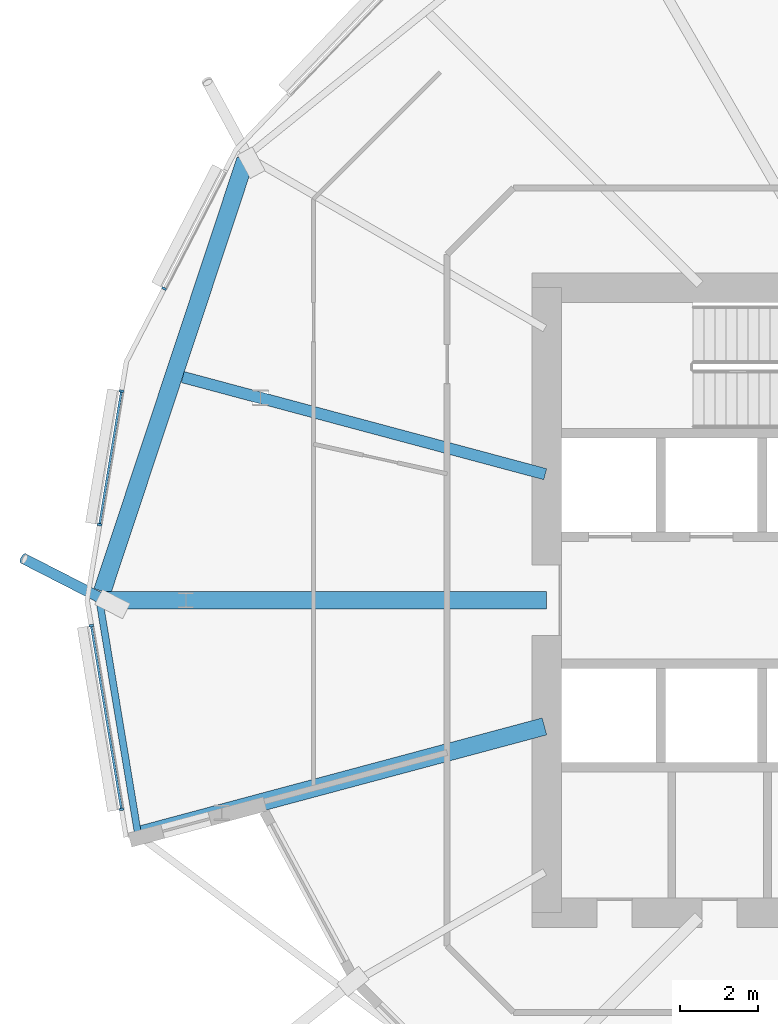
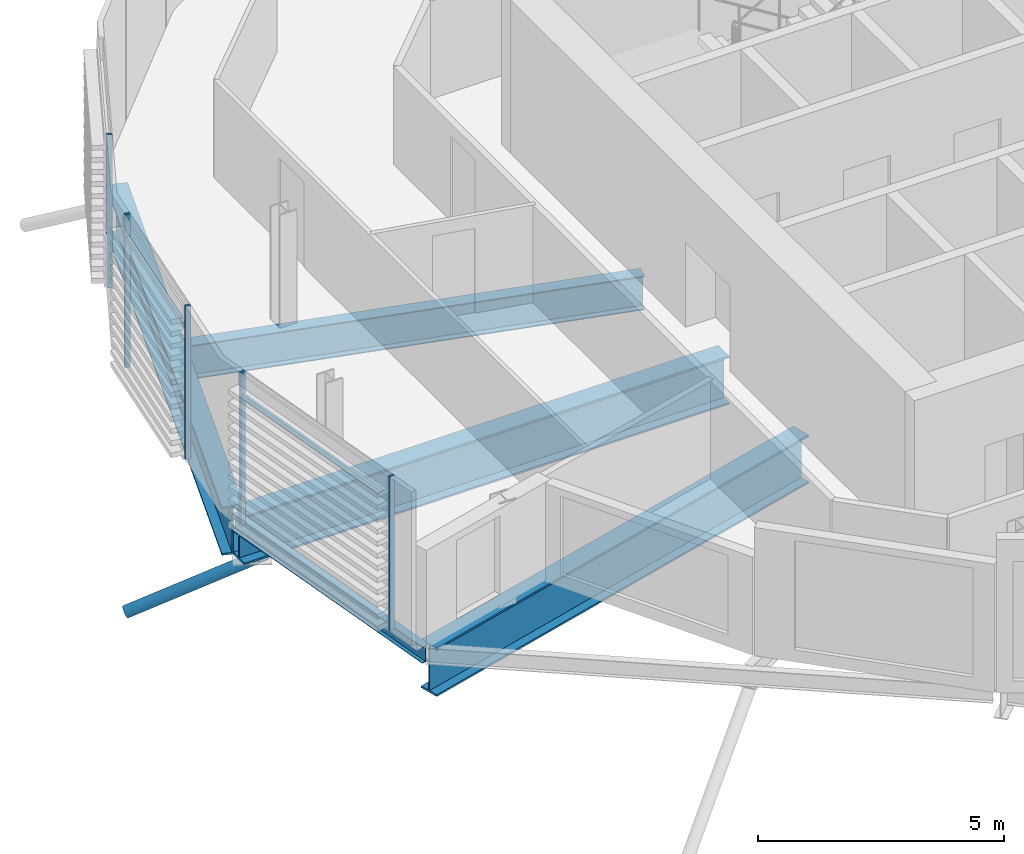
# One storey, part 5 of 43: 8 members, 5 beams, 1 element without a shape of its own.
"""IFC4 building model written with IfcOpenShell, lengths in metres."""

from ifc_helpers import new_model, si_unit, direction, frame, origin, origin_2d, place, context, subcontext, project, spatial, rectangle, hollow_circle, i_section, extrude, clip, halfspace, material, material_profile, profile_set, type_object, element, aggregate, save


model = new_model("IFC4")

# Units and contexts
model_context = context("Model", 3, precision=1e-05, world=origin(), true_north=direction((0.0, 1.0)))
body_context = subcontext(model_context, "Body", "Model", "MODEL_VIEW")
ifc_project = project(units=[si_unit("LENGTHUNIT", "METRE"), si_unit("AREAUNIT", "SQUARE_METRE"), si_unit("VOLUMEUNIT", "CUBIC_METRE"), si_unit("PLANEANGLEUNIT", "RADIAN"), si_unit("MASSUNIT", "GRAM", prefix="KILO")], contexts=[model_context])

# Site, building, storey
site_placement = place(None, origin())
site = spatial("IfcSite", under=ifc_project, at=site_placement, CompositionType="ELEMENT")
building_placement = place(site_placement, origin())
building = spatial("IfcBuilding", under=site, at=building_placement, Name="Rimbun Link Towers", CompositionType="ELEMENT")
storey_placement = place(building_placement, frame((0.0, 0.0, 81.60009765625)))
storey = spatial("IfcBuildingStorey", under=building, at=storey_placement, Name="L19", CompositionType="ELEMENT", Elevation=81.60009765625)

# Curtain wall, members
ifc_material_1 = material(Name="Aluminium 6063-T6 and low-iron glass", Category="aluminium")
curtain_wall_type = type_object("IfcCurtainWallType", Name="CW1-Z2 unitised vision wall (zone 2)", PredefinedType="NOTDEFINED", material=ifc_material_1)
curtain_wall_placement = place(storey_placement, origin())
curtain_wall = element("IfcCurtainWall", 1, at=curtain_wall_placement, inside=storey, type_object=curtain_wall_type, Name="CW1 L19 T1", PredefinedType="NOTDEFINED")
ifc_material_2 = material(Name="Aluminium 6063-T6", Category="aluminium")
ifc_material_profile_1 = material_profile(ifc_material_2, rectangle(XDim=0.1201171875, YDim=0.06005859375, at=origin_2d()), Name="MULLION 60X120")
ifc_profile_set_1 = profile_set([ifc_material_profile_1], Name="Aluminium 6063-T6")
member_type_1 = type_object("IfcMemberType", Name="CW1 mullion 60X120", PredefinedType="MULLION", material=ifc_profile_set_1)
member_1_placement = place(storey_placement, frame((-53.543701171875, 7.9765625, 0.0), z_axis=(0.0, 0.0, 1.0), x_axis=(-0.888154791602, 0.459544411514, 0.0)))
member_1 = element("IfcMember", 2, at=member_1_placement, type_object=member_type_1, Name="CW1 mullion", PredefinedType="MULLION", context=body_context, shape_type="SweptSolid", body=[
    extrude(rectangle(XDim=0.1201171875, YDim=0.06005859375, at=origin_2d()), origin(), (0.0, 0.0, 1.0), 3.7998046875),
])
member_2_placement = place(storey_placement, frame((-55.19873046875, 1.933837890625, 0.0), z_axis=(0.0, 0.0, 1.0), x_axis=(-0.986748851509, 0.162255058613, 0.0)))
member_2 = element("IfcMember", 3, at=member_2_placement, type_object=member_type_1, Name="CW1 mullion", PredefinedType="MULLION", context=body_context, shape_type="SweptSolid", body=[
    extrude(rectangle(XDim=0.1201171875, YDim=0.06005859375, at=origin_2d()), origin(), (0.0, 0.0, 1.0), 3.7998046875),
])
member_3_placement = place(storey_placement, frame((-54.636474609375, 5.353515625, 0.0), z_axis=(0.0, 0.0, 1.0), x_axis=(-0.986748851509, 0.162255058613, 0.0)))
member_3 = element("IfcMember", 4, at=member_3_placement, type_object=member_type_1, Name="CW1 mullion", PredefinedType="MULLION", context=body_context, shape_type="SweptSolid", body=[
    extrude(rectangle(XDim=0.1201171875, YDim=0.06005859375, at=origin_2d()), origin(), (0.0, 0.0, 1.0), 3.7998046875),
])
member_4_placement = place(storey_placement, frame((-54.636474609375, -5.353515625, 0.0), z_axis=(0.0, 0.0, 1.0), x_axis=(-0.986748851509, -0.162255058613, 0.0)))
member_4 = element("IfcMember", 5, at=member_4_placement, type_object=member_type_1, Name="CW1 mullion", PredefinedType="MULLION", context=body_context, shape_type="SweptSolid", body=[
    extrude(rectangle(XDim=0.1201171875, YDim=0.06005859375, at=origin_2d()), origin(), (0.0, 0.0, 1.0), 3.7998046875),
])
member_5_placement = place(storey_placement, frame((-55.40966796875, -0.651123046875, 0.0), z_axis=(0.0, 0.0, 1.0), x_axis=(-0.986748851509, -0.162255058613, 0.0)))
member_5 = element("IfcMember", 6, at=member_5_placement, type_object=member_type_1, Name="CW1 mullion", PredefinedType="MULLION", context=body_context, shape_type="SweptSolid", body=[
    extrude(rectangle(XDim=0.1201171875, YDim=0.06005859375, at=origin_2d()), origin(), (0.0, 0.0, 1.0), 3.7998046875),
])
ifc_material_3 = material(Name="Aluminium 6063-T6", Category="aluminium")
ifc_material_profile_2 = material_profile(ifc_material_3, rectangle(XDim=0.06005859375, YDim=0.1201171875, at=origin_2d()), Name="TRANSOM 60X120")
ifc_profile_set_2 = profile_set([ifc_material_profile_2], Name="Aluminium 6063-T6")
member_type_2 = type_object("IfcMemberType", Name="CW1 transom 60X120", PredefinedType="USERDEFINED", material=ifc_profile_set_2)
member_6_placement = place(storey_placement, frame((-55.19189453125, 1.963134765625, 3.199951171875), z_axis=(0.162224767288, 0.986753831955, 0.0), x_axis=(-0.986753831955, 0.162224767288, 0.0)))
member_6 = element("IfcMember", 7, at=member_6_placement, type_object=member_type_2, Name="CW1 transom", ObjectType="TRANSOM", PredefinedType="USERDEFINED", context=body_context, shape_type="SweptSolid", body=[
    extrude(rectangle(XDim=0.06005859375, YDim=0.1201171875, at=origin_2d()), origin(), (0.0, 0.0, 1.0), 3.40576171875),
])
member_7_placement = place(storey_placement, frame((-54.639404296875, -5.32373046875, 3.199951171875), z_axis=(-0.162236357021, 0.986751926505, 0.0), x_axis=(-0.986751926505, -0.162236357021, 0.0)))
member_7 = element("IfcMember", 8, at=member_7_placement, type_object=member_type_2, Name="CW1 transom", ObjectType="TRANSOM", PredefinedType="USERDEFINED", context=body_context, shape_type="SweptSolid", body=[
    extrude(rectangle(XDim=0.06005859375, YDim=0.1201171875, at=origin_2d()), origin(), (0.0, 0.0, 1.0), 4.70556640625),
])
aggregate(curtain_wall, [member_1, member_2, member_3, member_4, member_5, member_6, member_7])

# Member
ifc_material_4 = material(Name="Steel S355J2H", Category="steel")
ifc_material_profile_3 = material_profile(ifc_material_4, hollow_circle(Radius=0.136474609375, WallThickness=0.012451171875, at=origin_2d()), Name="CHS 273x12.5")
ifc_profile_set_3 = profile_set([ifc_material_profile_3], Name="Steel S355J2H")
member_type_3 = type_object("IfcMemberType", Name="Floor edge link CHS 273x12.5", PredefinedType="BRACE", material=ifc_profile_set_3)
member_8_placement = place(storey_placement, frame((-55.061279296875, 0.0, -1.4833984375), z_axis=(-0.804958056302, 0.411871770932, -0.427088014236), x_axis=(-0.455504522995, -0.890233469114, 0.0)))
element("IfcMember", 9, at=member_8_placement, inside=storey, type_object=member_type_3, Name="Floor edge link T1 L19 12", PredefinedType="BRACE", context=body_context, shape_type="Clipping", body=[
    clip(extrude(hollow_circle(Radius=0.136474609375, WallThickness=0.012451171875, at=origin_2d()), frame((0.0, 0.0, -0.601318359375)), (0.0, 0.0, 1.0), 3.200439453125), halfspace(frame((0.0, 0.0, -0.283935546875), z_axis=(0.0, 0.904210057506, -0.427088014236)), False)),
])

# Beams
ifc_material_5 = material(Name="Steel S355J2", Category="steel")
ifc_material_profile_4 = material_profile(ifc_material_5, i_section(OverallWidth=0.449951171875, OverallDepth=1.199951171875, WebThickness=0.030029296875, FlangeThickness=0.044921875, at=origin_2d()), Name="PG 1200x450x30/45")
ifc_profile_set_4 = profile_set([ifc_material_profile_4], Name="Steel S355J2")
beam_type_1 = type_object("IfcBeamType", Name="PG 1200x450x30/45", PredefinedType="BEAM", material=ifc_profile_set_4)
beam_1_placement = place(storey_placement, frame((-43.7509765625, 0.0, -0.760009765625), z_axis=(-1.0, 0.0, 0.0), x_axis=(0.0, -1.0, 0.0)))
element("IfcBeam", 10, at=beam_1_placement, inside=storey, type_object=beam_type_1, Name="Radial beam T1 L19 12", PredefinedType="BEAM", context=body_context, shape_type="SweptSolid", body=[
    extrude(i_section(OverallWidth=0.449951171875, OverallDepth=1.199951171875, WebThickness=0.030029296875, FlangeThickness=0.044921875, at=origin_2d()), origin(), (0.0, 0.0, 1.0), 11.3603515625),
])
beam_2_placement = place(storey_placement, frame((-43.80908203125, -3.231201171875, -0.760009765625), z_axis=(-0.965923756593, -0.258826769192, 0.0), x_axis=(0.258826769192, -0.965923756593, 0.0)))
element("IfcBeam", 11, at=beam_2_placement, inside=storey, type_object=beam_type_1, Name="Radial beam T1 L19 13", PredefinedType="BEAM", context=body_context, shape_type="SweptSolid", body=[
    extrude(i_section(OverallWidth=0.449951171875, OverallDepth=1.199951171875, WebThickness=0.030029296875, FlangeThickness=0.044921875, at=origin_2d()), origin(), (0.0, 0.0, 1.0), 10.67578125),
])
beam_3_placement = place(storey_placement, frame((-51.464599609375, 11.271484375, -0.760009765625), z_axis=(-0.314773528668, -0.94916680602, 0.0), x_axis=(0.94916680602, -0.314773528668, 0.0)))
element("IfcBeam", 12, at=beam_3_placement, inside=storey, type_object=beam_type_1, Name="Edge beam T1 L19 10-12", PredefinedType="BEAM", context=body_context, shape_type="SweptSolid", body=[
    extrude(i_section(OverallWidth=0.449951171875, OverallDepth=1.199951171875, WebThickness=0.030029296875, FlangeThickness=0.044921875, at=origin_2d()), origin(), (0.0, 0.0, 1.0), 11.63720703125),
])
ifc_material_6 = material(Name="Steel S355J2", Category="steel")
ifc_material_profile_5 = material_profile(ifc_material_6, i_section(OverallWidth=0.177978515625, OverallDepth=0.406494140625, WebThickness=0.0078125, FlangeThickness=0.0126953125, at=origin_2d()), Name="UB 406x178x60")
ifc_profile_set_5 = profile_set([ifc_material_profile_5], Name="Steel S355J2")
beam_type_2 = type_object("IfcBeamType", Name="UB 406x178x60", PredefinedType="BEAM", material=ifc_profile_set_5)
beam_4_placement = place(storey_placement, frame((-55.202392578125, -0.0009765625, -0.36328125), z_axis=(0.163009273127, -0.986624536931, 0.0), x_axis=(0.986624536931, 0.163009273127, 0.0)))
element("IfcBeam", 13, at=beam_4_placement, inside=storey, type_object=beam_type_2, Name="Edge beam T1 L19 12", PredefinedType="BEAM", context=body_context, shape_type="SweptSolid", body=[
    extrude(i_section(OverallWidth=0.177978515625, OverallDepth=0.406494140625, WebThickness=0.0078125, FlangeThickness=0.0126953125, at=origin_2d()), origin(), (0.0, 0.0, 1.0), 6.09716796875),
])
ifc_material_7 = material(Name="Steel S355J2", Category="steel")
ifc_material_profile_6 = material_profile(ifc_material_7, i_section(OverallWidth=0.29248046875, OverallDepth=0.8408203125, WebThickness=0.0126953125, FlangeThickness=0.021728515625, at=origin_2d()), Name="UB 838x292x194")
ifc_profile_set_6 = profile_set([ifc_material_profile_6], Name="Steel S355J2")
beam_type_3 = type_object("IfcBeamType", Name="UB 838x292x194", PredefinedType="BEAM", material=ifc_profile_set_6)
beam_5_placement = place(storey_placement, frame((-43.788818359375, 3.225830078125, -0.58056640625), z_axis=(-0.965926388782, 0.258816945841, 0.0), x_axis=(-0.258816945841, -0.965926388782, 0.0)))
element("IfcBeam", 14, at=beam_5_placement, inside=storey, type_object=beam_type_3, Name="Radial beam T1 L19 11", PredefinedType="BEAM", context=body_context, shape_type="SweptSolid", body=[
    extrude(i_section(OverallWidth=0.29248046875, OverallDepth=0.8408203125, WebThickness=0.0126953125, FlangeThickness=0.021728515625, at=origin_2d()), origin(), (0.0, 0.0, 1.0), 9.6083984375),
])

save(model, "model.ifc")
